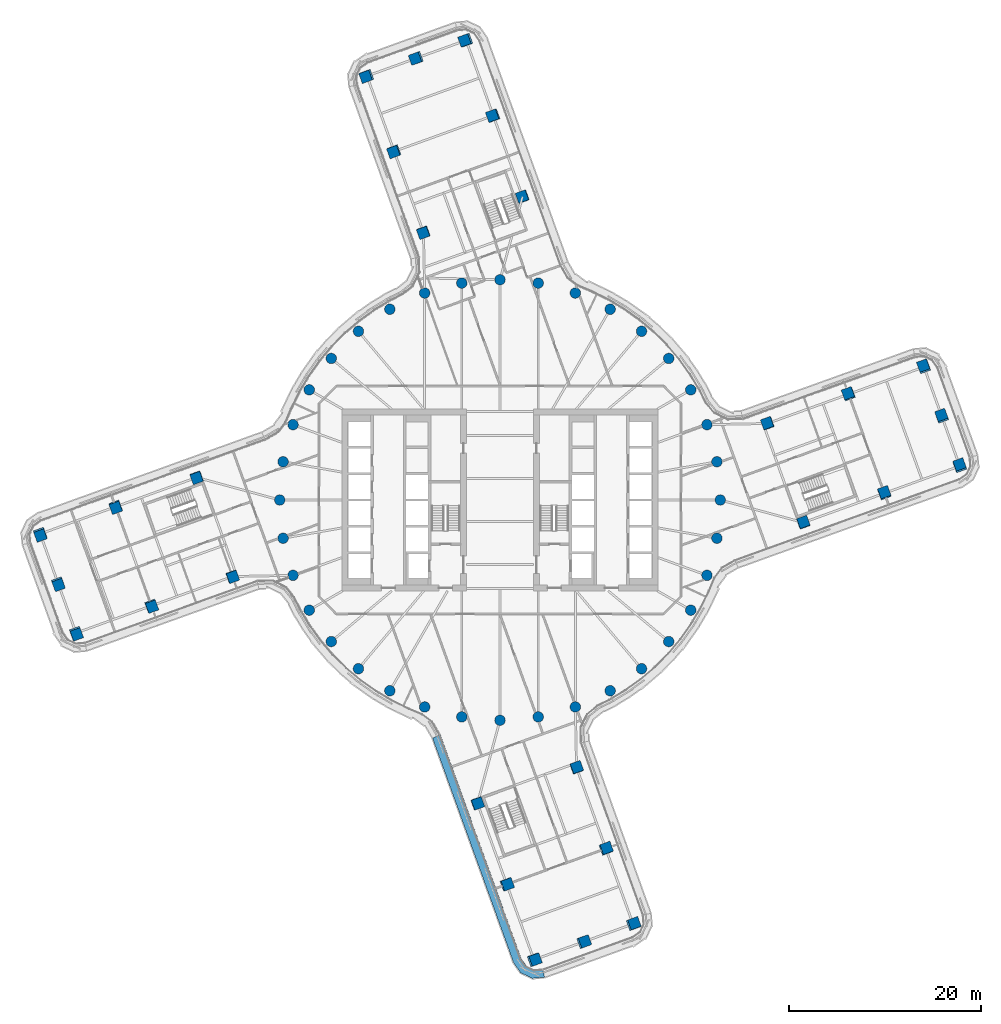
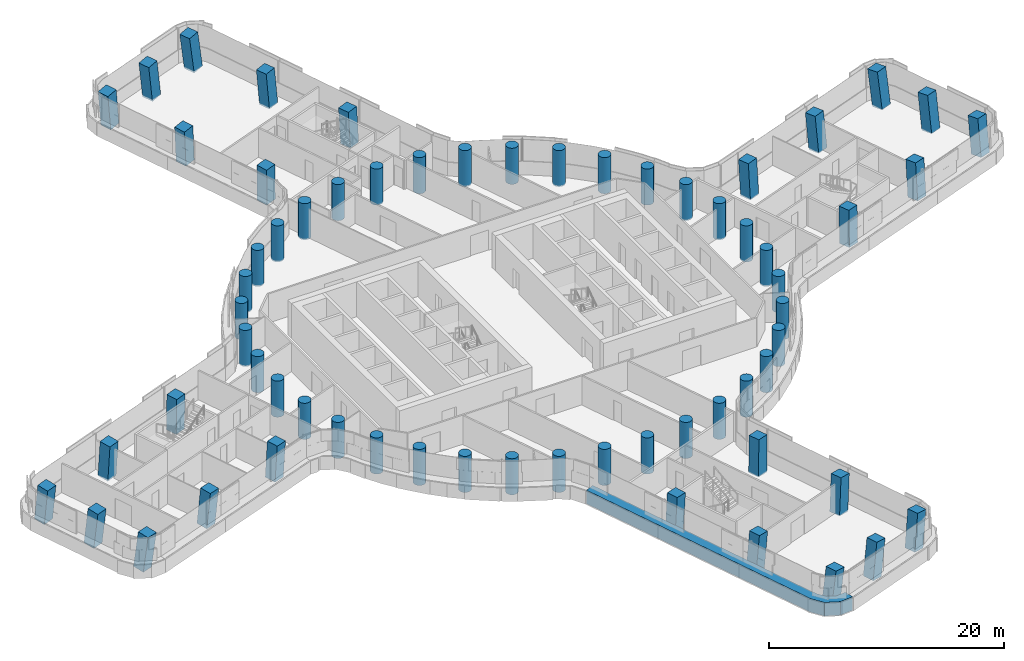
# One storey, part 1 of 30: 64 columns, 1 member, 1 element without a shape of its own.
"""IFC4 building model written with IfcOpenShell, lengths in metres."""

from ifc_helpers import new_model, si_unit, direction, frame, origin, origin_2d, place, context, subcontext, project, spatial, polyline, rectangle, circle, outline, extrude, material, layer, layer_set, material_profile, profile_set, type_object, element, aggregate, save


model = new_model("IFC4")

# Units and contexts
model_context = context("Model", 3, precision=1e-05, world=origin(), true_north=direction((0.0, 1.0)))
body_context = subcontext(model_context, "Body", "Model", "MODEL_VIEW")
ifc_project = project(units=[si_unit("LENGTHUNIT", "METRE"), si_unit("AREAUNIT", "SQUARE_METRE"), si_unit("VOLUMEUNIT", "CUBIC_METRE"), si_unit("PLANEANGLEUNIT", "RADIAN"), si_unit("MASSUNIT", "GRAM", prefix="KILO")], contexts=[model_context])

# Site, building, storey
site_placement = place(None, origin())
site = spatial("IfcSite", under=ifc_project, at=site_placement, CompositionType="ELEMENT")
building_placement = place(site_placement, origin())
building = spatial("IfcBuilding", under=site, at=building_placement, Name="Tamarind Cross Interchange Tower", CompositionType="ELEMENT")
storey_placement = place(building_placement, frame((0.0, 0.0, 106.0)))
storey = spatial("IfcBuildingStorey", under=building, at=storey_placement, Name="L25", CompositionType="ELEMENT", Elevation=106.0)

# Columns
ifc_material_1 = material(Name="Concrete C65", Category="concrete")
ifc_material_profile_1 = material_profile(ifc_material_1, rectangle(XDim=1.10009765625, YDim=1.10009765625, at=origin_2d()), Name="RC 1100x1100")
ifc_profile_set_1 = profile_set([ifc_material_profile_1], Name="Concrete C65")
column_type_1 = type_object("IfcColumnType", Name="Column RC 1100x1100 Concrete C65", PredefinedType="COLUMN", material=ifc_profile_set_1)
for number, where, z_axis, x_axis, name in (
    (1, (36.404296875, 11.048095703125, -0.138427734375), (-0.054197232101, 0.069255624733, 0.996125653959), (0.337893159091, -0.937467697324, 0.083561531302), "Column L25-036"),
    (2, (40.1396484375, 0.70166015625, -0.138427734375), (-0.004218954032, 0.087819150852, 0.996127500459), (-0.940553484289, -0.338658741659, 0.025872763471), "Column L25-037"),
):
    element("IfcColumn", number, at=place(storey_placement, frame(where, z_axis=z_axis, x_axis=x_axis)), inside=storey, type_object=column_type_1, Name=name, PredefinedType="COLUMN", context=body_context, shape_type="SweptSolid", body=[
        extrude(rectangle(XDim=1.10009765625, YDim=1.10009765625, at=origin_2d()), origin(), (0.0, 0.0, 1.0), 3.761474609375),
    ])
for number, where, z_axis, x_axis, name in (
    (3, (27.93896484375, 7.99169921875, -0.138671875), (-0.039044792498, 0.028502698523, 0.998830866742), (0.338245964432, -0.940205035525, 0.040051950239), "Column L25-038"),
    (4, (31.674560546875, -2.3544921875, -0.138671875), (0.010997629454, 0.047049030149, 0.998832038387), (-0.940431077803, -0.338963985272, 0.026321181412), "Column L25-039"),
):
    element("IfcColumn", number, at=place(storey_placement, frame(where, z_axis=z_axis, x_axis=x_axis)), inside=storey, type_object=column_type_1, Name=name, PredefinedType="COLUMN", context=body_context, shape_type="SweptSolid", body=[
        extrude(rectangle(XDim=1.10009765625, YDim=1.10009765625, at=origin_2d()), origin(), (0.0, 0.0, 1.0), 3.751708984375),
    ])
column_1_placement = place(storey_placement, frame((48.010009765625, 3.543212890625, -0.138427734375), z_axis=(-0.01221357407, 0.127563995845, 0.991755138919), x_axis=(-0.940776344432, -0.337530428287, 0.031828913556)))
element("IfcColumn", 5, at=column_1_placement, inside=storey, type_object=column_type_1, Name="Column L25-040", PredefinedType="COLUMN", context=body_context, shape_type="SweptSolid", body=[
    extrude(rectangle(XDim=1.10009765625, YDim=1.10009765625, at=origin_2d()), origin(), (0.0, 0.0, 1.0), 3.778076171875),
])
column_2_placement = place(storey_placement, frame((46.142333984375, 8.71630859375, -0.138671875), z_axis=(-0.037107721159, 0.118369751641, 0.992275979215), x_axis=(-0.940632892234, -0.339384112392, 0.005309077441)))
element("IfcColumn", 6, at=column_2_placement, inside=storey, type_object=column_type_1, Name="Column L25-041", PredefinedType="COLUMN", context=body_context, shape_type="SweptSolid", body=[
    extrude(rectangle(XDim=1.10009765625, YDim=1.10009765625, at=origin_2d()), origin(), (0.0, 0.0, 1.0), 3.7763671875),
])
column_3_placement = place(storey_placement, frame((44.2744140625, 13.889404296875, -0.138671875), z_axis=(-0.061920955191, 0.109169617241, 0.992092631754), x_axis=(0.335323659451, -0.933946614801, 0.123700299573)))
element("IfcColumn", 7, at=column_3_placement, inside=storey, type_object=column_type_1, Name="Column L25-042", PredefinedType="COLUMN", context=body_context, shape_type="SweptSolid", body=[
    extrude(rectangle(XDim=1.10009765625, YDim=1.10009765625, at=origin_2d()), origin(), (0.0, 0.0, 1.0), 3.777099609375),
])
for number, where, z_axis, x_axis, name in (
    (8, (-11.048095703125, 36.404296875, -0.138427734375), (-0.069255624733, -0.054197232101, 0.996125653959), (0.937467697324, 0.337893159091, 0.083561531302), "Column L25-043"),
    (9, (-0.70166015625, 40.1396484375, -0.138427734375), (-0.087819150852, -0.004218954032, 0.996127500459), (0.338658741659, -0.940553484289, 0.025872763471), "Column L25-044"),
):
    element("IfcColumn", number, at=place(storey_placement, frame(where, z_axis=z_axis, x_axis=x_axis)), inside=storey, type_object=column_type_1, Name=name, PredefinedType="COLUMN", context=body_context, shape_type="SweptSolid", body=[
        extrude(rectangle(XDim=1.10009765625, YDim=1.10009765625, at=origin_2d()), origin(), (0.0, 0.0, 1.0), 3.761474609375),
    ])
for number, where, z_axis, x_axis, name in (
    (10, (-7.99169921875, 27.93896484375, -0.138671875), (-0.028502698523, -0.039044792498, 0.998830866742), (0.940205035525, 0.338245964432, 0.040051950239), "Column L25-045"),
    (11, (2.3544921875, 31.674560546875, -0.138671875), (-0.047049030149, 0.010997629454, 0.998832038387), (0.338963985272, -0.940431077803, 0.026321181412), "Column L25-046"),
):
    element("IfcColumn", number, at=place(storey_placement, frame(where, z_axis=z_axis, x_axis=x_axis)), inside=storey, type_object=column_type_1, Name=name, PredefinedType="COLUMN", context=body_context, shape_type="SweptSolid", body=[
        extrude(rectangle(XDim=1.10009765625, YDim=1.10009765625, at=origin_2d()), origin(), (0.0, 0.0, 1.0), 3.751708984375),
    ])
column_4_placement = place(storey_placement, frame((-3.543212890625, 48.010009765625, -0.138427734375), z_axis=(-0.127563995845, -0.01221357407, 0.991755138919), x_axis=(0.337530428287, -0.940776344432, 0.031828913556)))
element("IfcColumn", 12, at=column_4_placement, inside=storey, type_object=column_type_1, Name="Column L25-047", PredefinedType="COLUMN", context=body_context, shape_type="SweptSolid", body=[
    extrude(rectangle(XDim=1.10009765625, YDim=1.10009765625, at=origin_2d()), origin(), (0.0, 0.0, 1.0), 3.778076171875),
])
column_5_placement = place(storey_placement, frame((-8.71630859375, 46.142333984375, -0.138671875), z_axis=(-0.118369751641, -0.037107721159, 0.992275979215), x_axis=(0.339384112392, -0.940632892234, 0.005309077441)))
element("IfcColumn", 13, at=column_5_placement, inside=storey, type_object=column_type_1, Name="Column L25-048", PredefinedType="COLUMN", context=body_context, shape_type="SweptSolid", body=[
    extrude(rectangle(XDim=1.10009765625, YDim=1.10009765625, at=origin_2d()), origin(), (0.0, 0.0, 1.0), 3.7763671875),
])
column_6_placement = place(storey_placement, frame((-13.889404296875, 44.2744140625, -0.138671875), z_axis=(-0.109169617241, -0.061920955191, 0.992092631754), x_axis=(0.933946614801, 0.335323659451, 0.123700299573)))
element("IfcColumn", 14, at=column_6_placement, inside=storey, type_object=column_type_1, Name="Column L25-049", PredefinedType="COLUMN", context=body_context, shape_type="SweptSolid", body=[
    extrude(rectangle(XDim=1.10009765625, YDim=1.10009765625, at=origin_2d()), origin(), (0.0, 0.0, 1.0), 3.777099609375),
])
for number, where, z_axis, x_axis, name in (
    (15, (-36.404296875, -11.048095703125, -0.138427734375), (0.054197232101, -0.069255624733, 0.996125653959), (-0.337893159091, 0.937467697324, 0.083561531302), "Column L25-050"),
    (16, (-40.1396484375, -0.70166015625, -0.138427734375), (0.004218954032, -0.087819150852, 0.996127500459), (0.940553484289, 0.338658741659, 0.025872763471), "Column L25-051"),
):
    element("IfcColumn", number, at=place(storey_placement, frame(where, z_axis=z_axis, x_axis=x_axis)), inside=storey, type_object=column_type_1, Name=name, PredefinedType="COLUMN", context=body_context, shape_type="SweptSolid", body=[
        extrude(rectangle(XDim=1.10009765625, YDim=1.10009765625, at=origin_2d()), origin(), (0.0, 0.0, 1.0), 3.761474609375),
    ])
for number, where, z_axis, x_axis, name in (
    (17, (-27.93896484375, -7.99169921875, -0.138671875), (0.039044792498, -0.028502698523, 0.998830866742), (-0.338245964432, 0.940205035525, 0.040051950239), "Column L25-052"),
    (18, (-31.674560546875, 2.3544921875, -0.138671875), (-0.010997629454, -0.047049030149, 0.998832038387), (0.940431077803, 0.338963985272, 0.026321181412), "Column L25-053"),
):
    element("IfcColumn", number, at=place(storey_placement, frame(where, z_axis=z_axis, x_axis=x_axis)), inside=storey, type_object=column_type_1, Name=name, PredefinedType="COLUMN", context=body_context, shape_type="SweptSolid", body=[
        extrude(rectangle(XDim=1.10009765625, YDim=1.10009765625, at=origin_2d()), origin(), (0.0, 0.0, 1.0), 3.751708984375),
    ])
column_7_placement = place(storey_placement, frame((-48.010009765625, -3.543212890625, -0.138427734375), z_axis=(0.01221357407, -0.127563995845, 0.991755138919), x_axis=(0.940776344432, 0.337530428287, 0.031828913556)))
element("IfcColumn", 19, at=column_7_placement, inside=storey, type_object=column_type_1, Name="Column L25-054", PredefinedType="COLUMN", context=body_context, shape_type="SweptSolid", body=[
    extrude(rectangle(XDim=1.10009765625, YDim=1.10009765625, at=origin_2d()), origin(), (0.0, 0.0, 1.0), 3.778076171875),
])
column_8_placement = place(storey_placement, frame((-46.142333984375, -8.71630859375, -0.138671875), z_axis=(0.037107721159, -0.118369751641, 0.992275979215), x_axis=(0.940632892234, 0.339384112392, 0.005309077441)))
element("IfcColumn", 20, at=column_8_placement, inside=storey, type_object=column_type_1, Name="Column L25-055", PredefinedType="COLUMN", context=body_context, shape_type="SweptSolid", body=[
    extrude(rectangle(XDim=1.10009765625, YDim=1.10009765625, at=origin_2d()), origin(), (0.0, 0.0, 1.0), 3.7763671875),
])
column_9_placement = place(storey_placement, frame((-44.2744140625, -13.889404296875, -0.138671875), z_axis=(0.061920955191, -0.109169617241, 0.992092631754), x_axis=(-0.335323659451, 0.933946614801, 0.123700299573)))
element("IfcColumn", 21, at=column_9_placement, inside=storey, type_object=column_type_1, Name="Column L25-056", PredefinedType="COLUMN", context=body_context, shape_type="SweptSolid", body=[
    extrude(rectangle(XDim=1.10009765625, YDim=1.10009765625, at=origin_2d()), origin(), (0.0, 0.0, 1.0), 3.777099609375),
])
for number, where, z_axis, x_axis, name in (
    (22, (11.048095703125, -36.404296875, -0.138427734375), (0.069255624733, 0.054197232101, 0.996125653959), (-0.937467697324, -0.337893159091, 0.083561531302), "Column L25-057"),
    (23, (0.70166015625, -40.1396484375, -0.138427734375), (0.087819150852, 0.004218954032, 0.996127500459), (-0.338658741659, 0.940553484289, 0.025872763471), "Column L25-058"),
):
    element("IfcColumn", number, at=place(storey_placement, frame(where, z_axis=z_axis, x_axis=x_axis)), inside=storey, type_object=column_type_1, Name=name, PredefinedType="COLUMN", context=body_context, shape_type="SweptSolid", body=[
        extrude(rectangle(XDim=1.10009765625, YDim=1.10009765625, at=origin_2d()), origin(), (0.0, 0.0, 1.0), 3.761474609375),
    ])
for number, where, z_axis, x_axis, name in (
    (24, (7.99169921875, -27.93896484375, -0.138671875), (0.028502698523, 0.039044792498, 0.998830866742), (-0.940205035525, -0.338245964432, 0.040051950239), "Column L25-059"),
    (25, (-2.3544921875, -31.674560546875, -0.138671875), (0.047049030149, -0.010997629454, 0.998832038387), (-0.338963985272, 0.940431077803, 0.026321181412), "Column L25-060"),
):
    element("IfcColumn", number, at=place(storey_placement, frame(where, z_axis=z_axis, x_axis=x_axis)), inside=storey, type_object=column_type_1, Name=name, PredefinedType="COLUMN", context=body_context, shape_type="SweptSolid", body=[
        extrude(rectangle(XDim=1.10009765625, YDim=1.10009765625, at=origin_2d()), origin(), (0.0, 0.0, 1.0), 3.751708984375),
    ])
column_10_placement = place(storey_placement, frame((3.543212890625, -48.010009765625, -0.138427734375), z_axis=(0.127563995845, 0.01221357407, 0.991755138919), x_axis=(-0.337530428287, 0.940776344432, 0.031828913556)))
element("IfcColumn", 26, at=column_10_placement, inside=storey, type_object=column_type_1, Name="Column L25-061", PredefinedType="COLUMN", context=body_context, shape_type="SweptSolid", body=[
    extrude(rectangle(XDim=1.10009765625, YDim=1.10009765625, at=origin_2d()), origin(), (0.0, 0.0, 1.0), 3.778076171875),
])
column_11_placement = place(storey_placement, frame((8.71630859375, -46.142333984375, -0.138671875), z_axis=(0.118369751641, 0.037107721159, 0.992275979215), x_axis=(-0.339384112392, 0.940632892234, 0.005309077441)))
element("IfcColumn", 27, at=column_11_placement, inside=storey, type_object=column_type_1, Name="Column L25-062", PredefinedType="COLUMN", context=body_context, shape_type="SweptSolid", body=[
    extrude(rectangle(XDim=1.10009765625, YDim=1.10009765625, at=origin_2d()), origin(), (0.0, 0.0, 1.0), 3.7763671875),
])
column_12_placement = place(storey_placement, frame((13.889404296875, -44.2744140625, -0.138671875), z_axis=(0.109169617241, 0.061920955191, 0.992092631754), x_axis=(-0.933946614801, -0.335323659451, 0.123700299573)))
element("IfcColumn", 28, at=column_12_placement, inside=storey, type_object=column_type_1, Name="Column L25-063", PredefinedType="COLUMN", context=body_context, shape_type="SweptSolid", body=[
    extrude(rectangle(XDim=1.10009765625, YDim=1.10009765625, at=origin_2d()), origin(), (0.0, 0.0, 1.0), 3.777099609375),
])
ifc_material_profile_2 = material_profile(ifc_material_1, circle(Radius=0.550048828125, at=origin_2d()), Name="RC D1100")
ifc_profile_set_2 = profile_set([ifc_material_profile_2], Name="Concrete C65")
column_type_2 = type_object("IfcColumnType", Name="Column RC D1100 Concrete C65", PredefinedType="COLUMN", material=ifc_profile_set_2)
for number, where, z_axis, x_axis, name in (
    (29, (23.0, 0.0, -0.139892578125), (0.0, 0.0, 1.0), (1.0, 0.0, 0.0), "Column L25-000"),
    (30, (22.650634765625, 3.993896484375, -0.139892578125), (0.0, 0.0, 1.0), (1.0, 0.0, 0.0), "Column L25-001"),
    (31, (21.613037109375, 7.866455078125, -0.139892578125), (0.0, 0.0, 1.0), (1.0, 0.0, 0.0), "Column L25-002"),
    (32, (19.918701171875, 11.5, -0.139892578125), (0.0, 0.0, 1.0), (1.0, 0.0, 0.0), "Column L25-003"),
    (33, (17.619140625, 14.7841796875, -0.139892578125), (0.0, 0.0, 1.0), (1.0, 0.0, 0.0), "Column L25-004"),
    (34, (14.7841796875, 17.619140625, -0.139892578125), (0.0, 0.0, 1.0), (1.0, 0.0, 0.0), "Column L25-005"),
    (35, (11.5, 19.918701171875, -0.139892578125), (0.0, 0.0, 1.0), (1.0, 0.0, 0.0), "Column L25-006"),
    (36, (7.866455078125, 21.613037109375, -0.139892578125), (0.0, 0.0, 1.0), (1.0, 0.0, 0.0), "Column L25-007"),
    (37, (3.993896484375, 22.650634765625, -0.139892578125), (0.0, 0.0, 1.0), (1.0, 0.0, 0.0), "Column L25-008"),
    (38, (0.0, 23.0, -0.139892578125), (0.0, 0.0, 1.0), (1.0, 0.0, 0.0), "Column L25-009"),
    (39, (-3.993896484375, 22.650634765625, -0.139892578125), (0.0, 0.0, 1.0), (1.0, 0.0, 0.0), "Column L25-010"),
    (40, (-7.866455078125, 21.613037109375, -0.139892578125), (0.0, 0.0, 1.0), (1.0, 0.0, 0.0), "Column L25-011"),
    (41, (-11.5, 19.918701171875, -0.139892578125), (0.0, 0.0, 1.0), (1.0, 0.0, 0.0), "Column L25-012"),
    (42, (-14.7841796875, 17.619140625, -0.139892578125), (0.0, 0.0, 1.0), (1.0, 0.0, 0.0), "Column L25-013"),
    (43, (-17.619140625, 14.7841796875, -0.139892578125), (0.0, 0.0, 1.0), (1.0, 0.0, 0.0), "Column L25-014"),
    (44, (-19.918701171875, 11.5, -0.139892578125), (0.0, 0.0, 1.0), (1.0, 0.0, 0.0), "Column L25-015"),
    (45, (-21.613037109375, 7.866455078125, -0.139892578125), (0.0, 0.0, 1.0), (1.0, 0.0, 0.0), "Column L25-016"),
    (46, (-22.650634765625, 3.993896484375, -0.139892578125), (0.0, 0.0, 1.0), (1.0, 0.0, 0.0), "Column L25-017"),
    (47, (-23.0, 0.0, -0.139892578125), (0.0, 0.0, 1.0), (1.0, 0.0, 0.0), "Column L25-018"),
    (48, (-22.650634765625, -3.993896484375, -0.139892578125), (0.0, 0.0, 1.0), (1.0, 0.0, 0.0), "Column L25-019"),
    (49, (-21.613037109375, -7.866455078125, -0.139892578125), (0.0, 0.0, 1.0), (1.0, 0.0, 0.0), "Column L25-020"),
    (50, (-19.918701171875, -11.5, -0.139892578125), (0.0, 0.0, 1.0), (1.0, 0.0, 0.0), "Column L25-021"),
    (51, (-17.619140625, -14.7841796875, -0.139892578125), (0.0, 0.0, 1.0), (1.0, 0.0, 0.0), "Column L25-022"),
    (52, (-14.7841796875, -17.619140625, -0.139892578125), (0.0, 0.0, 1.0), (1.0, 0.0, 0.0), "Column L25-023"),
    (53, (-11.5, -19.918701171875, -0.139892578125), (0.0, 0.0, 1.0), (1.0, 0.0, 0.0), "Column L25-024"),
    (54, (-7.866455078125, -21.613037109375, -0.139892578125), (0.0, 0.0, 1.0), (1.0, 0.0, 0.0), "Column L25-025"),
    (55, (-3.993896484375, -22.650634765625, -0.139892578125), (0.0, 0.0, 1.0), (1.0, 0.0, 0.0), "Column L25-026"),
    (56, (0.0, -23.0, -0.139892578125), (0.0, 0.0, 1.0), (1.0, 0.0, 0.0), "Column L25-027"),
    (57, (3.993896484375, -22.650634765625, -0.139892578125), (0.0, 0.0, 1.0), (1.0, 0.0, 0.0), "Column L25-028"),
    (58, (7.866455078125, -21.613037109375, -0.139892578125), (0.0, 0.0, 1.0), (1.0, 0.0, 0.0), "Column L25-029"),
    (59, (11.5, -19.918701171875, -0.139892578125), (0.0, 0.0, 1.0), (1.0, 0.0, 0.0), "Column L25-030"),
    (60, (14.7841796875, -17.619140625, -0.139892578125), (0.0, 0.0, 1.0), (1.0, 0.0, 0.0), "Column L25-031"),
    (61, (17.619140625, -14.7841796875, -0.139892578125), (0.0, 0.0, 1.0), (1.0, 0.0, 0.0), "Column L25-032"),
    (62, (19.918701171875, -11.5, -0.139892578125), (0.0, 0.0, 1.0), (1.0, 0.0, 0.0), "Column L25-033"),
    (63, (21.613037109375, -7.866455078125, -0.139892578125), (0.0, 0.0, 1.0), (1.0, 0.0, 0.0), "Column L25-034"),
    (64, (22.650634765625, -3.993896484375, -0.139892578125), (0.0, 0.0, 1.0), (1.0, 0.0, 0.0), "Column L25-035"),
):
    element("IfcColumn", number, at=place(storey_placement, frame(where, z_axis=z_axis, x_axis=x_axis)), inside=storey, type_object=column_type_2, Name=name, PredefinedType="COLUMN", context=body_context, shape_type="SweptSolid", body=[
        extrude(circle(Radius=0.550048828125, at=origin_2d()), origin(), (0.0, 0.0, 1.0), 3.75),
    ])

# Curtain wall, member
ifc_material_2 = material(Name="Aluminium 6063-T6", Category="aluminium")
ifc_layer = layer(ifc_material_2, 0.159912109375)
ifc_layer_set = layer_set([ifc_layer], Name="Aluminium 6063-T6")
curtain_wall_type = type_object("IfcCurtainWallType", Name="Office curtain wall, 9.0 m bays", PredefinedType="NOTDEFINED", material=ifc_layer_set)
curtain_wall_placement = place(storey_placement, origin())
curtain_wall = element("IfcCurtainWall", 65, at=curtain_wall_placement, inside=storey, type_object=curtain_wall_type, Name="CWS-L25-03", PredefinedType="NOTDEFINED")
ifc_material_3 = material(Name="Aluminium and insulated spandrel panel", Category="aluminium")
member_type = type_object("IfcMemberType", Name="Floor-edge blade transom", PredefinedType="USERDEFINED", material=ifc_material_3)
member_placement = place(storey_placement, origin())
member = element("IfcMember", 66, at=member_placement, type_object=member_type, Name="CWT-L25-03", ObjectType="TRANSOM", PredefinedType="USERDEFINED", context=body_context, shape_type="SweptSolid", body=[
    extrude(outline(polyline([(-6.220458984375, -24.50048828125), (2.23095703125, -47.909912109375), (2.754150390625, -48.6611328125), (3.545654296875, -49.032958984375), (4.457763671875, -48.955322265625), (4.652099609375, -49.84228515625), (3.381591796875, -49.949951171875), (2.1533203125, -49.37353515625), (1.4248046875, -48.3271484375), (-7.04296875, -24.873046875), (-6.220458984375, -24.50048828125)])), origin(), (0.0, 0.0, 1.0), 1.39990234375),
])
aggregate(curtain_wall, [member])

save(model, "model.ifc")
